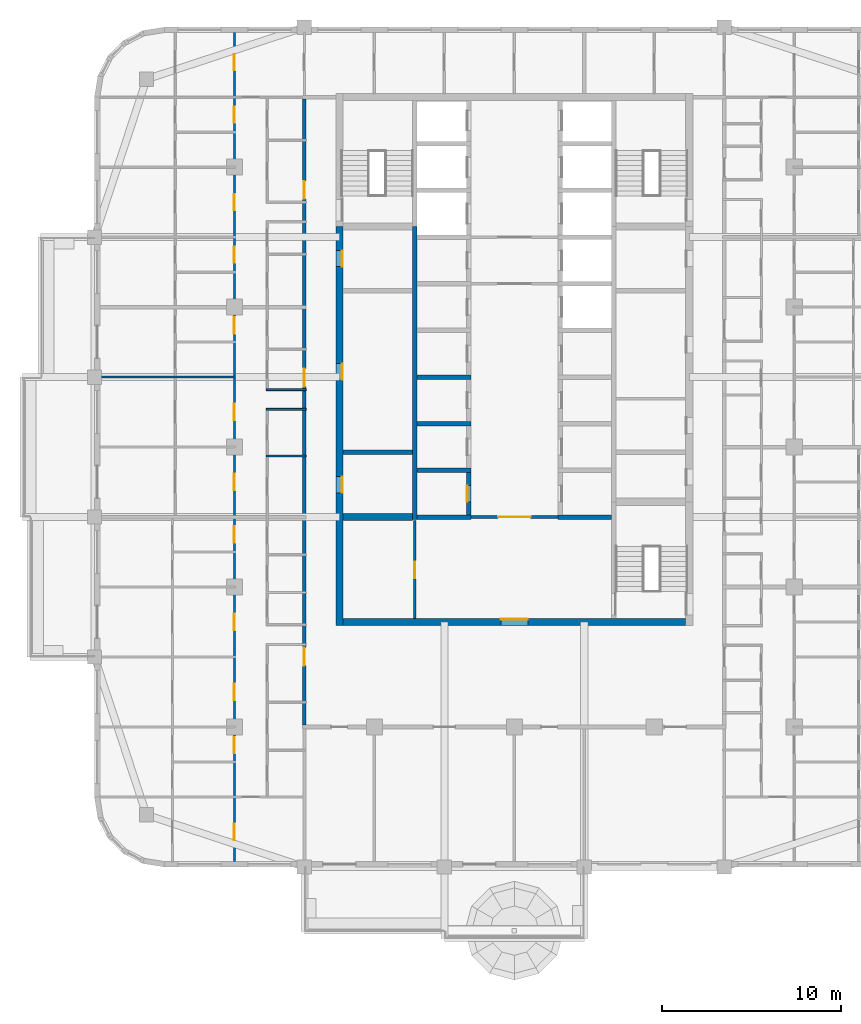
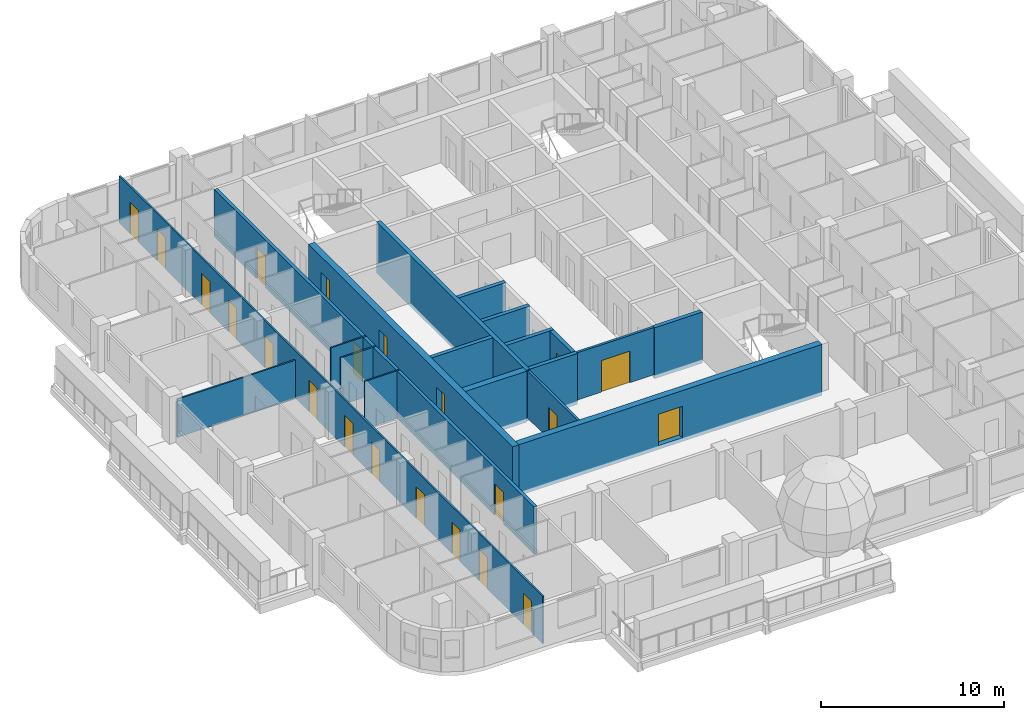
# One storey, part 4 of 17: 22 doors, 19 walls, 22 openings.
"""IFC4 building model written with IfcOpenShell, lengths in metres."""

from ifc_helpers import new_model, si_unit, direction, frame, frame_2d, origin, place, context, subcontext, project, spatial, rectangle, extrude, material, layer, layer_set, type_object, element, fill, save


model = new_model("IFC4")

# Units and contexts
model_context = context("Model", 3, precision=1e-05, world=origin(), true_north=direction((0.0, 1.0)))
body_context = subcontext(model_context, "Body", "Model", "MODEL_VIEW")
ifc_project = project(units=[si_unit("LENGTHUNIT", "METRE"), si_unit("AREAUNIT", "SQUARE_METRE"), si_unit("VOLUMEUNIT", "CUBIC_METRE"), si_unit("PLANEANGLEUNIT", "RADIAN"), si_unit("MASSUNIT", "GRAM", prefix="KILO")], contexts=[model_context])

# Site, building, storey
site_placement = place(None, origin())
site = spatial("IfcSite", under=ifc_project, at=site_placement, CompositionType="ELEMENT")
building_placement = place(site_placement, origin())
building = spatial("IfcBuilding", under=site, at=building_placement, Name="Ludao Terraces", CompositionType="ELEMENT")
storey_placement = place(building_placement, frame((0.0, 0.0, 221.10009765625)))
storey = spatial("IfcBuildingStorey", under=building, at=storey_placement, Name="L60", CompositionType="ELEMENT", Elevation=221.10009765625)

# Wall, openings, doors
ifc_material_1 = material(Name="Concrete C50", Category="concrete")
ifc_layer_1 = layer(ifc_material_1, 0.39990234375)
ifc_layer_set_1 = layer_set([ifc_layer_1], Name="Core wall 400 C50")
wall_type_1 = type_object("IfcWallType", Name="Core wall 400 C50", PredefinedType="SOLIDWALL", material=ifc_layer_set_1)
wall_1_placement = place(storey_placement, frame((75.25, 55.050048828125, -0.25), z_axis=(0.0, 0.0, 1.0), x_axis=(0.0, 1.0, 0.0)))
wall_1 = element("IfcWall", 1, at=wall_1_placement, inside=storey, type_object=wall_type_1, Name="Core wall L60 outer-W", PredefinedType="SOLIDWALL", context=body_context, shape_type="SweptSolid", body=[
    extrude(rectangle(XDim=22.25, YDim=0.39990234375, at=frame_2d((11.125, 0.0))), origin(), (0.0, 0.0, 1.0), 3.39990234375),
])
opening_1_placement = place(wall_1_placement, frame((7.39990234375, 0.0, 0.25)))
opening_1 = element("IfcOpeningElement", 2, at=opening_1_placement, cuts=wall_1, Name="Opening R21-056", PredefinedType="OPENING", context=body_context, shape_type="SweptSolid", body=[
    extrude(rectangle(XDim=0.89990234375, YDim=2.10009765625, at=frame_2d((0.449951171875, 1.050048828125))), frame((0.0, 0.2099609375, 0.0), z_axis=(0.0, -1.0, 0.0), x_axis=(1.0, 0.0, 0.0)), (0.0, 0.0, 1.0), 0.419921875),
])
opening_2_placement = place(wall_1_placement, frame((13.699951171875, 0.0, 0.25)))
opening_2 = element("IfcOpeningElement", 3, at=opening_2_placement, cuts=wall_1, Name="Opening R21-076", PredefinedType="OPENING", context=body_context, shape_type="SweptSolid", body=[
    extrude(rectangle(XDim=0.89990234375, YDim=2.10009765625, at=frame_2d((0.449951171875, 1.050048828125))), frame((0.0, 0.2099609375, 0.0), z_axis=(0.0, -1.0, 0.0), x_axis=(1.0, 0.0, 0.0)), (0.0, 0.0, 1.0), 0.419921875),
])
opening_3_placement = place(wall_1_placement, frame((20.0, 0.0, 0.25)))
opening_3 = element("IfcOpeningElement", 4, at=opening_3_placement, cuts=wall_1, Name="Opening R21-099", PredefinedType="OPENING", context=body_context, shape_type="SweptSolid", body=[
    extrude(rectangle(XDim=0.89990234375, YDim=2.10009765625, at=frame_2d((0.449951171875, 1.050048828125))), frame((0.0, 0.2099609375, 0.0), z_axis=(0.0, -1.0, 0.0), x_axis=(1.0, 0.0, 0.0)), (0.0, 0.0, 1.0), 0.419921875),
])
ifc_material_2 = material(Name="Steel Q235", Category="steel")
door_type_1 = type_object("IfcDoorType", Name="INT Riser door 900", OperationType="SINGLE_SWING_LEFT", PredefinedType="DOOR", material=ifc_material_2)
door_1_placement = place(opening_1_placement, origin())
door_1 = element("IfcDoor", 5, at=door_1_placement, inside=storey, type_object=door_type_1, Name="DOOR 056", OperationType="SINGLE_SWING_RIGHT", OverallHeight=2.10009765625, OverallWidth=0.89990234375, PredefinedType="DOOR", context=body_context, shape_type="SweptSolid", body=[
    extrude(rectangle(XDim=0.89990234375, YDim=2.10009765625, at=frame_2d((0.449951171875, 1.050048828125))), frame((0.0, -0.134765625, 0.0), z_axis=(0.0, -1.0, 0.0), x_axis=(1.0, 0.0, 0.0)), (0.0, 0.0, 1.0), 0.050048828125),
])
fill(opening_1, door_1)
door_2_placement = place(opening_3_placement, origin())
door_2 = element("IfcDoor", 6, at=door_2_placement, inside=storey, type_object=door_type_1, Name="DOOR 099", OperationType="SINGLE_SWING_LEFT", OverallHeight=2.10009765625, OverallWidth=0.89990234375, PredefinedType="DOOR", context=body_context, shape_type="SweptSolid", body=[
    extrude(rectangle(XDim=0.89990234375, YDim=2.10009765625, at=frame_2d((0.449951171875, 1.050048828125))), frame((0.0, -0.134765625, 0.0), z_axis=(0.0, -1.0, 0.0), x_axis=(1.0, 0.0, 0.0)), (0.0, 0.0, 1.0), 0.050048828125),
])
fill(opening_3, door_2)
ifc_material_3 = material(Name="Timber door leaf", Category="wood")
door_type_2 = type_object("IfcDoorType", Name="INT Room door 900", OperationType="SINGLE_SWING_LEFT", PredefinedType="DOOR", material=ifc_material_3)
door_3_placement = place(opening_2_placement, origin())
door_3 = element("IfcDoor", 7, at=door_3_placement, inside=storey, type_object=door_type_2, Name="DOOR 076", OperationType="SINGLE_SWING_RIGHT", OverallHeight=2.10009765625, OverallWidth=0.89990234375, PredefinedType="DOOR", context=body_context, shape_type="SweptSolid", body=[
    extrude(rectangle(XDim=0.89990234375, YDim=2.10009765625, at=frame_2d((0.449951171875, 1.050048828125))), frame((0.0, -0.134765625, 0.0), z_axis=(0.0, -1.0, 0.0), x_axis=(1.0, 0.0, 0.0)), (0.0, 0.0, 1.0), 0.050048828125),
])
fill(opening_2, door_3)

# Wall, opening, door
wall_2_placement = place(storey_placement, frame((75.449951171875, 55.25, -0.25), z_axis=(0.0, 0.0, 1.0), x_axis=(1.0, 0.0, 0.0)))
wall_2 = element("IfcWall", 8, at=wall_2_placement, inside=storey, type_object=wall_type_1, Name="Core wall L60 outer-S", PredefinedType="SOLIDWALL", context=body_context, shape_type="SweptSolid", body=[
    extrude(rectangle(XDim=19.10009765625, YDim=0.39990234375, at=frame_2d((9.550048828125, 0.0))), origin(), (0.0, 0.0, 1.0), 3.39990234375),
])
opening_4_placement = place(wall_2_placement, frame((8.800048828125, 0.0, 0.25)))
opening_4 = element("IfcOpeningElement", 9, at=opening_4_placement, cuts=wall_2, Name="Opening R21-033", PredefinedType="OPENING", context=body_context, shape_type="SweptSolid", body=[
    extrude(rectangle(XDim=1.5, YDim=2.10009765625, at=frame_2d((0.75, 1.050048828125))), frame((0.0, 0.2099609375, 0.0), z_axis=(0.0, -1.0, 0.0), x_axis=(1.0, 0.0, 0.0)), (0.0, 0.0, 1.0), 0.419921875),
])
door_type_3 = type_object("IfcDoorType", Name="INT Lobby door 1500", OperationType="DOUBLE_DOOR_SINGLE_SWING", PredefinedType="DOOR", material=ifc_material_2)
door_4_placement = place(opening_4_placement, origin())
door_4 = element("IfcDoor", 10, at=door_4_placement, inside=storey, type_object=door_type_3, Name="DOOR 033", OperationType="DOUBLE_DOOR_SINGLE_SWING", OverallHeight=2.10009765625, OverallWidth=1.5, PredefinedType="DOOR", context=body_context, shape_type="SweptSolid", body=[
    extrude(rectangle(XDim=1.5, YDim=2.10009765625, at=frame_2d((0.75, 1.050048828125))), frame((0.0, 0.18505859375, 0.0), z_axis=(0.0, -1.0, 0.0), x_axis=(1.0, 0.0, 0.0)), (0.0, 0.0, 1.0), 0.050048828125),
])
fill(opening_4, door_4)

ifc_material_4 = material(Name="Fire-rated gypsum plasterboard", Category="gypsum")
ifc_layer_2 = layer(ifc_material_4, 0.012451171875, Category="gypsum")
ifc_material_5 = material(Name="Mineral wool")
ifc_layer_3 = layer(ifc_material_5, 0.10009765625, Name="insulation")
ifc_layer_4 = layer(ifc_material_2, 0.02490234375, Name="stud")
ifc_layer_5 = layer(ifc_material_4, 0.012451171875, Category="gypsum")
ifc_layer_set_2 = layer_set([ifc_layer_2, ifc_layer_3, ifc_layer_4, ifc_layer_5], Name="INT Core partition 150")
wall_type_2 = type_object("IfcWallType", Name="INT Core partition 150", PredefinedType="PARTITIONING", material=ifc_layer_set_2)
wall_3_placement = place(storey_placement, frame((82.5751953125, 61.10009765625, 0.0), z_axis=(0.0, 0.0, 1.0), x_axis=(1.0, 0.0, 0.0)))
wall_3 = element("IfcWall", 11, at=wall_3_placement, inside=storey, type_object=wall_type_2, Name="PW-L60-PW027", PredefinedType="PARTITIONING", context=body_context, shape_type="SweptSolid", body=[
    extrude(rectangle(XDim=4.849853515625, YDim=0.14990234375, at=frame_2d((2.4248046875, 0.0))), origin(), (0.0, 0.0, 1.0), 3.14990234375),
])
opening_5_placement = place(wall_3_placement, frame((1.52490234375, 0.0, 0.0)))
opening_5 = element("IfcOpeningElement", 12, at=opening_5_placement, cuts=wall_3, Name="Opening R21-050", PredefinedType="OPENING", context=body_context, shape_type="SweptSolid", body=[
    extrude(rectangle(XDim=1.800048828125, YDim=2.10009765625, at=frame_2d((0.89990234375, 1.050048828125))), frame((0.0, 0.0849609375, 0.0), z_axis=(0.0, -1.0, 0.0), x_axis=(1.0, 0.0, 0.0)), (0.0, 0.0, 1.0), 0.169921875),
])
door_type_4 = type_object("IfcDoorType", Name="INT Fire lobby door 1800", OperationType="DOUBLE_DOOR_SINGLE_SWING", PredefinedType="DOOR", material=ifc_material_2)
door_5_placement = place(opening_5_placement, origin())
door_5 = element("IfcDoor", 13, at=door_5_placement, inside=storey, type_object=door_type_4, Name="DOOR 050", OperationType="DOUBLE_DOOR_SINGLE_SWING", OverallHeight=2.10009765625, OverallWidth=1.800048828125, PredefinedType="DOOR", context=body_context, shape_type="SweptSolid", body=[
    extrude(rectangle(XDim=1.800048828125, YDim=2.10009765625, at=frame_2d((0.89990234375, 1.050048828125))), frame((0.0, 0.02490234375, 0.0), z_axis=(0.0, -1.0, 0.0), x_axis=(1.0, 0.0, 0.0)), (0.0, 0.0, 1.0), 0.050048828125),
])
fill(opening_5, door_5)

wall_4_placement = place(storey_placement, frame((79.449951171875, 55.4501953125, 0.0), z_axis=(0.0, 0.0, 1.0), x_axis=(0.0, 1.0, 0.0)))
wall_4 = element("IfcWall", 14, at=wall_4_placement, inside=storey, type_object=wall_type_2, Name="PW-L60-PW082", PredefinedType="PARTITIONING", context=body_context, shape_type="SweptSolid", body=[
    extrude(rectangle(XDim=5.449951171875, YDim=0.14990234375, at=frame_2d((2.72509765625, 0.0))), origin(), (0.0, 0.0, 1.0), 3.14990234375),
])
opening_6_placement = place(wall_4_placement, frame((2.25, 0.0, 0.0)))
opening_6 = element("IfcOpeningElement", 15, at=opening_6_placement, cuts=wall_4, Name="Opening R21-042", PredefinedType="OPENING", context=body_context, shape_type="SweptSolid", body=[
    extrude(rectangle(XDim=0.89990234375, YDim=2.10009765625, at=frame_2d((0.449951171875, 1.050048828125))), frame((0.0, 0.0849609375, 0.0), z_axis=(0.0, -1.0, 0.0), x_axis=(1.0, 0.0, 0.0)), (0.0, 0.0, 1.0), 0.169921875),
])
door_6_placement = place(opening_6_placement, origin())
door_6 = element("IfcDoor", 16, at=door_6_placement, inside=storey, type_object=door_type_2, Name="DOOR 042", OperationType="SINGLE_SWING_LEFT", OverallHeight=2.10009765625, OverallWidth=0.89990234375, PredefinedType="DOOR", context=body_context, shape_type="SweptSolid", body=[
    extrude(rectangle(XDim=0.89990234375, YDim=2.10009765625, at=frame_2d((0.449951171875, 1.050048828125))), frame((0.0, 0.02490234375, 0.0), z_axis=(0.0, -1.0, 0.0), x_axis=(1.0, 0.0, 0.0)), (0.0, 0.0, 1.0), 0.050048828125),
])
fill(opening_6, door_6)

# Wall, openings, doors
ifc_material_6 = material(Name="Autoclaved aerated concrete block B06 A3.5", Category="concrete")
ifc_layer_6 = layer(ifc_material_6, 0.199951171875)
ifc_layer_set_3 = layer_set([ifc_layer_6], Name="INT Entrance wall 200")
wall_type_3 = type_object("IfcWallType", Name="INT Entrance wall 200", PredefinedType="PARTITIONING", material=ifc_layer_set_3)
wall_5_placement = place(storey_placement, frame((73.300048828125, 49.5, 0.0), z_axis=(0.0, 0.0, 1.0), x_axis=(0.0, 1.0, 0.0)))
wall_5 = element("IfcWall", 17, at=wall_5_placement, inside=storey, type_object=wall_type_3, Name="PW-L60-PW078", PredefinedType="PARTITIONING", context=body_context, shape_type="SweptSolid", body=[
    extrude(rectangle(XDim=34.900146484375, YDim=0.199951171875, at=frame_2d((17.4501953125, 0.0))), origin(), (0.0, 0.0, 1.0), 3.14990234375),
])
opening_7_placement = place(wall_5_placement, frame((3.3251953125, 0.0, 0.0)))
opening_7 = element("IfcOpeningElement", 18, at=opening_7_placement, cuts=wall_5, Name="Opening R21-029", PredefinedType="OPENING", context=body_context, shape_type="SweptSolid", body=[
    extrude(rectangle(XDim=1.0, YDim=2.10009765625, at=frame_2d((0.5, 1.050048828125))), frame((0.0, 0.10986328125, 0.0), z_axis=(0.0, -1.0, 0.0), x_axis=(1.0, 0.0, 0.0)), (0.0, 0.0, 1.0), 0.219970703125),
])
opening_8_placement = place(wall_5_placement, frame((18.875, 0.0, 0.0)))
opening_8 = element("IfcOpeningElement", 19, at=opening_8_placement, cuts=wall_5, Name="Opening R21-075", PredefinedType="OPENING", context=body_context, shape_type="SweptSolid", body=[
    extrude(rectangle(XDim=1.0, YDim=2.10009765625, at=frame_2d((0.5, 1.050048828125))), frame((0.0, 0.10986328125, 0.0), z_axis=(0.0, -1.0, 0.0), x_axis=(1.0, 0.0, 0.0)), (0.0, 0.0, 1.0), 0.219970703125),
])
opening_9_placement = place(wall_5_placement, frame((29.3251953125, 0.0, 0.0)))
opening_9 = element("IfcOpeningElement", 20, at=opening_9_placement, cuts=wall_5, Name="Opening R21-116", PredefinedType="OPENING", context=body_context, shape_type="SweptSolid", body=[
    extrude(rectangle(XDim=1.0, YDim=2.10009765625, at=frame_2d((0.5, 1.050048828125))), frame((0.0, 0.10986328125, 0.0), z_axis=(0.0, -1.0, 0.0), x_axis=(1.0, 0.0, 0.0)), (0.0, 0.0, 1.0), 0.219970703125),
])
door_type_5 = type_object("IfcDoorType", Name="INT Flat entrance door 1000", OperationType="SINGLE_SWING_LEFT", PredefinedType="DOOR", material=ifc_material_2)
door_7_placement = place(opening_7_placement, origin())
door_7 = element("IfcDoor", 21, at=door_7_placement, inside=storey, type_object=door_type_5, Name="DOOR 029", OperationType="SINGLE_SWING_LEFT", OverallHeight=2.10009765625, OverallWidth=1.0, PredefinedType="DOOR", context=body_context, shape_type="SweptSolid", body=[
    extrude(rectangle(XDim=1.0, YDim=2.10009765625, at=frame_2d((0.5, 1.050048828125))), frame((0.0, 0.02490234375, 0.0), z_axis=(0.0, -1.0, 0.0), x_axis=(1.0, 0.0, 0.0)), (0.0, 0.0, 1.0), 0.050048828125),
])
fill(opening_7, door_7)
door_8_placement = place(opening_8_placement, origin())
door_8 = element("IfcDoor", 22, at=door_8_placement, inside=storey, type_object=door_type_5, Name="DOOR 075", OperationType="SINGLE_SWING_RIGHT", OverallHeight=2.10009765625, OverallWidth=1.0, PredefinedType="DOOR", context=body_context, shape_type="SweptSolid", body=[
    extrude(rectangle(XDim=1.0, YDim=2.10009765625, at=frame_2d((0.5, 1.050048828125))), frame((0.0, 0.02490234375, 0.0), z_axis=(0.0, -1.0, 0.0), x_axis=(1.0, 0.0, 0.0)), (0.0, 0.0, 1.0), 0.050048828125),
])
fill(opening_8, door_8)
door_9_placement = place(opening_9_placement, origin())
door_9 = element("IfcDoor", 23, at=door_9_placement, inside=storey, type_object=door_type_5, Name="DOOR 116", OperationType="SINGLE_SWING_RIGHT", OverallHeight=2.10009765625, OverallWidth=1.0, PredefinedType="DOOR", context=body_context, shape_type="SweptSolid", body=[
    extrude(rectangle(XDim=1.0, YDim=2.10009765625, at=frame_2d((0.5, 1.050048828125))), frame((0.0, 0.02490234375, 0.0), z_axis=(0.0, -1.0, 0.0), x_axis=(1.0, 0.0, 0.0)), (0.0, 0.0, 1.0), 0.050048828125),
])
fill(opening_9, door_9)

# Walls
ifc_material_7 = material(Name="Gypsum plasterboard", Category="gypsum")
ifc_layer_7 = layer(ifc_material_7, 0.012451171875, Category="gypsum")
ifc_layer_8 = layer(ifc_material_5, 0.06005859375, Name="insulation")
ifc_layer_9 = layer(ifc_material_2, 0.014892578125, Name="stud")
ifc_layer_10 = layer(ifc_material_7, 0.012451171875, Category="gypsum")
ifc_layer_set_4 = layer_set([ifc_layer_7, ifc_layer_8, ifc_layer_9, ifc_layer_10], Name="INT Partition 100")
wall_type_4 = type_object("IfcWallType", Name="INT Partition 100", PredefinedType="PARTITIONING", material=ifc_layer_set_4)
for number, where, z_axis, x_axis, name in (
    (24, (71.18017578125, 64.5, 0.0), (0.0, 0.0, 1.0), (1.0, 0.0, 0.0), "PW-L60-PW031"),
    (25, (71.18017578125, 67.10009765625, 0.0), (0.0, 0.0, 1.0), (1.0, 0.0, 0.0), "PW-L60-PW034"),
    (26, (71.18017578125, 68.199951171875, 0.0), (0.0, 0.0, 1.0), (1.0, 0.0, 0.0), "PW-L60-PW037"),
):
    element("IfcWall", number, at=place(storey_placement, frame(where, z_axis=z_axis, x_axis=x_axis)), inside=storey, type_object=wall_type_4, Name=name, PredefinedType="PARTITIONING", context=body_context, shape_type="SweptSolid", body=[
        extrude(rectangle(XDim=2.219970703125, YDim=0.10009765625, at=frame_2d((1.10986328125, 0.0))), origin(), (0.0, 0.0, 1.0), 3.14990234375),
    ])
wall_6_placement = place(storey_placement, frame((61.900146484375, 68.89990234375, 0.0), z_axis=(0.0, 0.0, 1.0), x_axis=(1.0, 0.0, 0.0)))
element("IfcWall", 27, at=wall_6_placement, inside=storey, type_object=wall_type_4, Name="PW-L60-PW038", PredefinedType="PARTITIONING", context=body_context, shape_type="SweptSolid", body=[
    extrude(rectangle(XDim=7.550048828125, YDim=0.10009765625, at=frame_2d((3.77490234375, 0.0))), origin(), (0.0, 0.0, 1.0), 2.5498046875),
])

# Wall, openings, doors
wall_7_placement = place(storey_placement, frame((69.39990234375, 41.900146484375, 0.0), z_axis=(0.0, 0.0, 1.0), x_axis=(0.0, 1.0, 0.0)))
wall_7 = element("IfcWall", 28, at=wall_7_placement, inside=storey, type_object=wall_type_4, Name="PW-L60-PW072", PredefinedType="PARTITIONING", context=body_context, shape_type="SweptSolid", body=[
    extrude(rectangle(XDim=46.199951171875, YDim=0.10009765625, at=frame_2d((23.10009765625, 0.0))), origin(), (0.0, 0.0, 1.0), 3.14990234375),
])
opening_10_placement = place(wall_7_placement, frame((1.199951171875, 0.0, 0.0)))
opening_10 = element("IfcOpeningElement", 29, at=opening_10_placement, cuts=wall_7, Name="Opening R21-002", PredefinedType="OPENING", context=body_context, shape_type="SweptSolid", body=[
    extrude(rectangle(XDim=0.89990234375, YDim=2.10009765625, at=frame_2d((0.449951171875, 1.050048828125))), frame((0.0, 0.06005859375, 0.0), z_axis=(0.0, -1.0, 0.0), x_axis=(1.0, 0.0, 0.0)), (0.0, 0.0, 1.0), 0.1201171875),
])
opening_11_placement = place(wall_7_placement, frame((6.02490234375, 0.0, 0.0)))
opening_11 = element("IfcOpeningElement", 30, at=opening_11_placement, cuts=wall_7, Name="Opening R21-011", PredefinedType="OPENING", context=body_context, shape_type="SweptSolid", body=[
    extrude(rectangle(XDim=0.89990234375, YDim=2.10009765625, at=frame_2d((0.449951171875, 1.050048828125))), frame((0.0, 0.06005859375, 0.0), z_axis=(0.0, -1.0, 0.0), x_axis=(1.0, 0.0, 0.0)), (0.0, 0.0, 1.0), 0.1201171875),
])
opening_12_placement = place(wall_7_placement, frame((9.0, 0.0, 0.0)))
opening_12 = element("IfcOpeningElement", 31, at=opening_12_placement, cuts=wall_7, Name="Opening R21-023", PredefinedType="OPENING", context=body_context, shape_type="SweptSolid", body=[
    extrude(rectangle(XDim=0.89990234375, YDim=2.10009765625, at=frame_2d((0.449951171875, 1.050048828125))), frame((0.0, 0.06005859375, 0.0), z_axis=(0.0, -1.0, 0.0), x_axis=(1.0, 0.0, 0.0)), (0.0, 0.0, 1.0), 0.1201171875),
])
opening_13_placement = place(wall_7_placement, frame((12.89990234375, 0.0, 0.0)))
opening_13 = element("IfcOpeningElement", 32, at=opening_13_placement, cuts=wall_7, Name="Opening R21-032", PredefinedType="OPENING", context=body_context, shape_type="SweptSolid", body=[
    extrude(rectangle(XDim=0.89990234375, YDim=2.10009765625, at=frame_2d((0.449951171875, 1.050048828125))), frame((0.0, 0.06005859375, 0.0), z_axis=(0.0, -1.0, 0.0), x_axis=(1.0, 0.0, 0.0)), (0.0, 0.0, 1.0), 0.1201171875),
])
opening_14_placement = place(wall_7_placement, frame((17.77490234375, 0.0, 0.0)))
opening_14 = element("IfcOpeningElement", 33, at=opening_14_placement, cuts=wall_7, Name="Opening R21-048", PredefinedType="OPENING", context=body_context, shape_type="SweptSolid", body=[
    extrude(rectangle(XDim=0.89990234375, YDim=2.10009765625, at=frame_2d((0.449951171875, 1.050048828125))), frame((0.0, 0.06005859375, 0.0), z_axis=(0.0, -1.0, 0.0), x_axis=(1.0, 0.0, 0.0)), (0.0, 0.0, 1.0), 0.1201171875),
])
opening_15_placement = place(wall_7_placement, frame((20.699951171875, 0.0, 0.0)))
opening_15 = element("IfcOpeningElement", 34, at=opening_15_placement, cuts=wall_7, Name="Opening R21-058", PredefinedType="OPENING", context=body_context, shape_type="SweptSolid", body=[
    extrude(rectangle(XDim=0.89990234375, YDim=2.10009765625, at=frame_2d((0.449951171875, 1.050048828125))), frame((0.0, 0.06005859375, 0.0), z_axis=(0.0, -1.0, 0.0), x_axis=(1.0, 0.0, 0.0)), (0.0, 0.0, 1.0), 0.1201171875),
])
opening_16_placement = place(wall_7_placement, frame((24.60009765625, 0.0, 0.0)))
opening_16 = element("IfcOpeningElement", 35, at=opening_16_placement, cuts=wall_7, Name="Opening R21-069", PredefinedType="OPENING", context=body_context, shape_type="SweptSolid", body=[
    extrude(rectangle(XDim=0.89990234375, YDim=2.10009765625, at=frame_2d((0.449951171875, 1.050048828125))), frame((0.0, 0.06005859375, 0.0), z_axis=(0.0, -1.0, 0.0), x_axis=(1.0, 0.0, 0.0)), (0.0, 0.0, 1.0), 0.1201171875),
])
opening_17_placement = place(wall_7_placement, frame((29.425048828125, 0.0, 0.0)))
opening_17 = element("IfcOpeningElement", 36, at=opening_17_placement, cuts=wall_7, Name="Opening R21-085", PredefinedType="OPENING", context=body_context, shape_type="SweptSolid", body=[
    extrude(rectangle(XDim=0.89990234375, YDim=2.10009765625, at=frame_2d((0.449951171875, 1.050048828125))), frame((0.0, 0.06005859375, 0.0), z_axis=(0.0, -1.0, 0.0), x_axis=(1.0, 0.0, 0.0)), (0.0, 0.0, 1.0), 0.1201171875),
])
opening_18_placement = place(wall_7_placement, frame((33.375, 0.0, 0.0)))
opening_18 = element("IfcOpeningElement", 37, at=opening_18_placement, cuts=wall_7, Name="Opening R21-102", PredefinedType="OPENING", context=body_context, shape_type="SweptSolid", body=[
    extrude(rectangle(XDim=0.89990234375, YDim=2.10009765625, at=frame_2d((0.449951171875, 1.050048828125))), frame((0.0, 0.06005859375, 0.0), z_axis=(0.0, -1.0, 0.0), x_axis=(1.0, 0.0, 0.0)), (0.0, 0.0, 1.0), 0.1201171875),
])
opening_19_placement = place(wall_7_placement, frame((36.300048828125, 0.0, 0.0)))
opening_19 = element("IfcOpeningElement", 38, at=opening_19_placement, cuts=wall_7, Name="Opening R21-113", PredefinedType="OPENING", context=body_context, shape_type="SweptSolid", body=[
    extrude(rectangle(XDim=0.89990234375, YDim=2.10009765625, at=frame_2d((0.449951171875, 1.050048828125))), frame((0.0, 0.06005859375, 0.0), z_axis=(0.0, -1.0, 0.0), x_axis=(1.0, 0.0, 0.0)), (0.0, 0.0, 1.0), 0.1201171875),
])
opening_20_placement = place(wall_7_placement, frame((41.175048828125, 0.0, 0.0)))
opening_20 = element("IfcOpeningElement", 39, at=opening_20_placement, cuts=wall_7, Name="Opening R21-129", PredefinedType="OPENING", context=body_context, shape_type="SweptSolid", body=[
    extrude(rectangle(XDim=0.89990234375, YDim=2.10009765625, at=frame_2d((0.449951171875, 1.050048828125))), frame((0.0, 0.06005859375, 0.0), z_axis=(0.0, -1.0, 0.0), x_axis=(1.0, 0.0, 0.0)), (0.0, 0.0, 1.0), 0.1201171875),
])
opening_21_placement = place(wall_7_placement, frame((44.10009765625, 0.0, 0.0)))
opening_21 = element("IfcOpeningElement", 40, at=opening_21_placement, cuts=wall_7, Name="Opening R21-136", PredefinedType="OPENING", context=body_context, shape_type="SweptSolid", body=[
    extrude(rectangle(XDim=0.89990234375, YDim=2.10009765625, at=frame_2d((0.449951171875, 1.050048828125))), frame((0.0, 0.06005859375, 0.0), z_axis=(0.0, -1.0, 0.0), x_axis=(1.0, 0.0, 0.0)), (0.0, 0.0, 1.0), 0.1201171875),
])
door_10_placement = place(opening_10_placement, origin())
door_10 = element("IfcDoor", 41, at=door_10_placement, inside=storey, type_object=door_type_2, Name="DOOR 002", OperationType="SINGLE_SWING_LEFT", OverallHeight=2.10009765625, OverallWidth=0.89990234375, PredefinedType="DOOR", context=body_context, shape_type="SweptSolid", body=[
    extrude(rectangle(XDim=0.89990234375, YDim=2.10009765625, at=frame_2d((0.449951171875, 1.050048828125))), frame((0.0, 0.02490234375, 0.0), z_axis=(0.0, -1.0, 0.0), x_axis=(1.0, 0.0, 0.0)), (0.0, 0.0, 1.0), 0.050048828125),
])
fill(opening_10, door_10)
door_11_placement = place(opening_11_placement, origin())
door_11 = element("IfcDoor", 42, at=door_11_placement, inside=storey, type_object=door_type_2, Name="DOOR 011", OperationType="SINGLE_SWING_LEFT", OverallHeight=2.10009765625, OverallWidth=0.89990234375, PredefinedType="DOOR", context=body_context, shape_type="SweptSolid", body=[
    extrude(rectangle(XDim=0.89990234375, YDim=2.10009765625, at=frame_2d((0.449951171875, 1.050048828125))), frame((0.0, 0.02490234375, 0.0), z_axis=(0.0, -1.0, 0.0), x_axis=(1.0, 0.0, 0.0)), (0.0, 0.0, 1.0), 0.050048828125),
])
fill(opening_11, door_11)
door_12_placement = place(opening_12_placement, origin())
door_12 = element("IfcDoor", 43, at=door_12_placement, inside=storey, type_object=door_type_2, Name="DOOR 023", OperationType="SINGLE_SWING_LEFT", OverallHeight=2.10009765625, OverallWidth=0.89990234375, PredefinedType="DOOR", context=body_context, shape_type="SweptSolid", body=[
    extrude(rectangle(XDim=0.89990234375, YDim=2.10009765625, at=frame_2d((0.449951171875, 1.050048828125))), frame((0.0, 0.02490234375, 0.0), z_axis=(0.0, -1.0, 0.0), x_axis=(1.0, 0.0, 0.0)), (0.0, 0.0, 1.0), 0.050048828125),
])
fill(opening_12, door_12)
door_13_placement = place(opening_13_placement, origin())
door_13 = element("IfcDoor", 44, at=door_13_placement, inside=storey, type_object=door_type_2, Name="DOOR 032", OperationType="SINGLE_SWING_LEFT", OverallHeight=2.10009765625, OverallWidth=0.89990234375, PredefinedType="DOOR", context=body_context, shape_type="SweptSolid", body=[
    extrude(rectangle(XDim=0.89990234375, YDim=2.10009765625, at=frame_2d((0.449951171875, 1.050048828125))), frame((0.0, 0.02490234375, 0.0), z_axis=(0.0, -1.0, 0.0), x_axis=(1.0, 0.0, 0.0)), (0.0, 0.0, 1.0), 0.050048828125),
])
fill(opening_13, door_13)
door_14_placement = place(opening_14_placement, origin())
door_14 = element("IfcDoor", 45, at=door_14_placement, inside=storey, type_object=door_type_2, Name="DOOR 048", OperationType="SINGLE_SWING_LEFT", OverallHeight=2.10009765625, OverallWidth=0.89990234375, PredefinedType="DOOR", context=body_context, shape_type="SweptSolid", body=[
    extrude(rectangle(XDim=0.89990234375, YDim=2.10009765625, at=frame_2d((0.449951171875, 1.050048828125))), frame((0.0, 0.02490234375, 0.0), z_axis=(0.0, -1.0, 0.0), x_axis=(1.0, 0.0, 0.0)), (0.0, 0.0, 1.0), 0.050048828125),
])
fill(opening_14, door_14)
door_15_placement = place(opening_15_placement, origin())
door_15 = element("IfcDoor", 46, at=door_15_placement, inside=storey, type_object=door_type_2, Name="DOOR 058", OperationType="SINGLE_SWING_RIGHT", OverallHeight=2.10009765625, OverallWidth=0.89990234375, PredefinedType="DOOR", context=body_context, shape_type="SweptSolid", body=[
    extrude(rectangle(XDim=0.89990234375, YDim=2.10009765625, at=frame_2d((0.449951171875, 1.050048828125))), frame((0.0, 0.02490234375, 0.0), z_axis=(0.0, -1.0, 0.0), x_axis=(1.0, 0.0, 0.0)), (0.0, 0.0, 1.0), 0.050048828125),
])
fill(opening_15, door_15)
door_16_placement = place(opening_16_placement, origin())
door_16 = element("IfcDoor", 47, at=door_16_placement, inside=storey, type_object=door_type_2, Name="DOOR 069", OperationType="SINGLE_SWING_RIGHT", OverallHeight=2.10009765625, OverallWidth=0.89990234375, PredefinedType="DOOR", context=body_context, shape_type="SweptSolid", body=[
    extrude(rectangle(XDim=0.89990234375, YDim=2.10009765625, at=frame_2d((0.449951171875, 1.050048828125))), frame((0.0, 0.02490234375, 0.0), z_axis=(0.0, -1.0, 0.0), x_axis=(1.0, 0.0, 0.0)), (0.0, 0.0, 1.0), 0.050048828125),
])
fill(opening_16, door_16)
door_17_placement = place(opening_17_placement, origin())
door_17 = element("IfcDoor", 48, at=door_17_placement, inside=storey, type_object=door_type_2, Name="DOOR 085", OperationType="SINGLE_SWING_LEFT", OverallHeight=2.10009765625, OverallWidth=0.89990234375, PredefinedType="DOOR", context=body_context, shape_type="SweptSolid", body=[
    extrude(rectangle(XDim=0.89990234375, YDim=2.10009765625, at=frame_2d((0.449951171875, 1.050048828125))), frame((0.0, 0.02490234375, 0.0), z_axis=(0.0, -1.0, 0.0), x_axis=(1.0, 0.0, 0.0)), (0.0, 0.0, 1.0), 0.050048828125),
])
fill(opening_17, door_17)
door_18_placement = place(opening_18_placement, origin())
door_18 = element("IfcDoor", 49, at=door_18_placement, inside=storey, type_object=door_type_2, Name="DOOR 102", OperationType="SINGLE_SWING_LEFT", OverallHeight=2.10009765625, OverallWidth=0.89990234375, PredefinedType="DOOR", context=body_context, shape_type="SweptSolid", body=[
    extrude(rectangle(XDim=0.89990234375, YDim=2.10009765625, at=frame_2d((0.449951171875, 1.050048828125))), frame((0.0, 0.02490234375, 0.0), z_axis=(0.0, -1.0, 0.0), x_axis=(1.0, 0.0, 0.0)), (0.0, 0.0, 1.0), 0.050048828125),
])
fill(opening_18, door_18)
door_19_placement = place(opening_19_placement, origin())
door_19 = element("IfcDoor", 50, at=door_19_placement, inside=storey, type_object=door_type_2, Name="DOOR 113", OperationType="SINGLE_SWING_LEFT", OverallHeight=2.10009765625, OverallWidth=0.89990234375, PredefinedType="DOOR", context=body_context, shape_type="SweptSolid", body=[
    extrude(rectangle(XDim=0.89990234375, YDim=2.10009765625, at=frame_2d((0.449951171875, 1.050048828125))), frame((0.0, 0.02490234375, 0.0), z_axis=(0.0, -1.0, 0.0), x_axis=(1.0, 0.0, 0.0)), (0.0, 0.0, 1.0), 0.050048828125),
])
fill(opening_19, door_19)
door_20_placement = place(opening_20_placement, origin())
door_20 = element("IfcDoor", 51, at=door_20_placement, inside=storey, type_object=door_type_2, Name="DOOR 129", OperationType="SINGLE_SWING_LEFT", OverallHeight=2.10009765625, OverallWidth=0.89990234375, PredefinedType="DOOR", context=body_context, shape_type="SweptSolid", body=[
    extrude(rectangle(XDim=0.89990234375, YDim=2.10009765625, at=frame_2d((0.449951171875, 1.050048828125))), frame((0.0, 0.02490234375, 0.0), z_axis=(0.0, -1.0, 0.0), x_axis=(1.0, 0.0, 0.0)), (0.0, 0.0, 1.0), 0.050048828125),
])
fill(opening_20, door_20)
door_21_placement = place(opening_21_placement, origin())
door_21 = element("IfcDoor", 52, at=door_21_placement, inside=storey, type_object=door_type_2, Name="DOOR 136", OperationType="SINGLE_SWING_RIGHT", OverallHeight=2.10009765625, OverallWidth=0.89990234375, PredefinedType="DOOR", context=body_context, shape_type="SweptSolid", body=[
    extrude(rectangle(XDim=0.89990234375, YDim=2.10009765625, at=frame_2d((0.449951171875, 1.050048828125))), frame((0.0, 0.02490234375, 0.0), z_axis=(0.0, -1.0, 0.0), x_axis=(1.0, 0.0, 0.0)), (0.0, 0.0, 1.0), 0.050048828125),
])
fill(opening_21, door_21)

# Walls
ifc_layer_11 = layer(ifc_material_1, 0.25)
ifc_layer_set_5 = layer_set([ifc_layer_11], Name="Shaft wall 250 C50")
wall_type_5 = type_object("IfcWallType", Name="Shaft wall 250 C50", PredefinedType="SOLIDWALL", material=ifc_layer_set_5)
wall_8_placement = place(storey_placement, frame((79.449951171875, 60.97509765625, -0.25), z_axis=(0.0, 0.0, 1.0), x_axis=(0.0, 1.0, 0.0)))
element("IfcWall", 53, at=wall_8_placement, inside=storey, type_object=wall_type_5, Name="Core wall L60 back-W", PredefinedType="SOLIDWALL", context=body_context, shape_type="SweptSolid", body=[
    extrude(rectangle(XDim=16.324951171875, YDim=0.25, at=frame_2d((8.16259765625, 0.0))), origin(), (0.0, 0.0, 1.0), 3.39990234375),
])
wall_9_placement = place(storey_placement, frame((79.574951171875, 61.10009765625, -0.25), z_axis=(0.0, 0.0, 1.0), x_axis=(1.0, 0.0, 0.0)))
element("IfcWall", 54, at=wall_9_placement, inside=storey, type_object=wall_type_5, Name="Core wall L60 div-W1", PredefinedType="SOLIDWALL", context=body_context, shape_type="SweptSolid", body=[
    extrude(rectangle(XDim=3.0, YDim=0.25, at=frame_2d((1.5, 0.0))), origin(), (0.0, 0.0, 1.0), 3.39990234375),
])

# Wall, opening, door
wall_10_placement = place(storey_placement, frame((82.449951171875, 61.22509765625, -0.25), z_axis=(0.0, 0.0, 1.0), x_axis=(0.0, 1.0, 0.0)))
wall_10 = element("IfcWall", 55, at=wall_10_placement, inside=storey, type_object=wall_type_5, Name="Core wall L60 front-W1", PredefinedType="SOLIDWALL", context=body_context, shape_type="SweptSolid", body=[
    extrude(rectangle(XDim=2.349853515625, YDim=0.25, at=frame_2d((1.1748046875, 0.0))), origin(), (0.0, 0.0, 1.0), 3.39990234375),
])
opening_22_placement = place(wall_10_placement, frame((0.72509765625, 0.0, 0.25)))
opening_22 = element("IfcOpeningElement", 56, at=opening_22_placement, cuts=wall_10, Name="Opening R21-053", PredefinedType="OPENING", context=body_context, shape_type="SweptSolid", body=[
    extrude(rectangle(XDim=0.89990234375, YDim=2.10009765625, at=frame_2d((0.449951171875, 1.050048828125))), frame((0.0, 0.135009765625, 0.0), z_axis=(0.0, -1.0, 0.0), x_axis=(1.0, 0.0, 0.0)), (0.0, 0.0, 1.0), 0.27001953125),
])
door_22_placement = place(opening_22_placement, origin())
door_22 = element("IfcDoor", 57, at=door_22_placement, inside=storey, type_object=door_type_2, Name="DOOR 053", OperationType="SINGLE_SWING_LEFT", OverallHeight=2.10009765625, OverallWidth=0.89990234375, PredefinedType="DOOR", context=body_context, shape_type="SweptSolid", body=[
    extrude(rectangle(XDim=0.89990234375, YDim=2.10009765625, at=frame_2d((0.449951171875, 1.050048828125))), frame((0.0, 0.10986328125, 0.0), z_axis=(0.0, -1.0, 0.0), x_axis=(1.0, 0.0, 0.0)), (0.0, 0.0, 1.0), 0.050048828125),
])
fill(opening_22, door_22)

# Walls
for number, where, z_axis, x_axis, name in (
    (58, (79.574951171875, 63.699951171875, -0.25), (0.0, 0.0, 1.0), (1.0, 0.0, 0.0), "Core wall L60 div-W2"),
    (59, (79.574951171875, 66.300048828125, -0.25), (0.0, 0.0, 1.0), (1.0, 0.0, 0.0), "Core wall L60 div-W3"),
    (60, (79.574951171875, 68.89990234375, -0.25), (0.0, 0.0, 1.0), (1.0, 0.0, 0.0), "Core wall L60 div-W4"),
    (61, (87.425048828125, 61.10009765625, -0.25), (0.0, 0.0, 1.0), (1.0, 0.0, 0.0), "Core wall L60 div-E1"),
):
    element("IfcWall", number, at=place(storey_placement, frame(where, z_axis=z_axis, x_axis=x_axis)), inside=storey, type_object=wall_type_5, Name=name, PredefinedType="SOLIDWALL", context=body_context, shape_type="SweptSolid", body=[
        extrude(rectangle(XDim=3.0, YDim=0.25, at=frame_2d((1.5, 0.0))), origin(), (0.0, 0.0, 1.0), 3.39990234375),
    ])
wall_11_placement = place(storey_placement, frame((75.449951171875, 64.699951171875, -0.25), z_axis=(0.0, 0.0, 1.0), x_axis=(1.0, 0.0, 0.0)))
element("IfcWall", 62, at=wall_11_placement, inside=storey, type_object=wall_type_5, Name="Core wall L60 riser-a-W", PredefinedType="SOLIDWALL", context=body_context, shape_type="SweptSolid", body=[
    extrude(rectangle(XDim=3.875, YDim=0.25, at=frame_2d((1.9375, 0.0))), origin(), (0.0, 0.0, 1.0), 3.39990234375),
])
ifc_layer_12 = layer(ifc_material_1, 0.39990234375)
ifc_layer_set_6 = layer_set([ifc_layer_12], Name="Shaft wall 400 C50")
wall_type_6 = type_object("IfcWallType", Name="Shaft wall 400 C50", PredefinedType="SOLIDWALL", material=ifc_layer_set_6)
wall_12_placement = place(storey_placement, frame((75.449951171875, 61.10009765625, -0.25), z_axis=(0.0, 0.0, 1.0), x_axis=(1.0, 0.0, 0.0)))
element("IfcWall", 63, at=wall_12_placement, inside=storey, type_object=wall_type_6, Name="Core wall L60 hall-W", PredefinedType="SOLIDWALL", context=body_context, shape_type="SweptSolid", body=[
    extrude(rectangle(XDim=3.875, YDim=0.39990234375, at=frame_2d((1.9375, 0.0))), origin(), (0.0, 0.0, 1.0), 3.39990234375),
])

save(model, "model.ifc")
